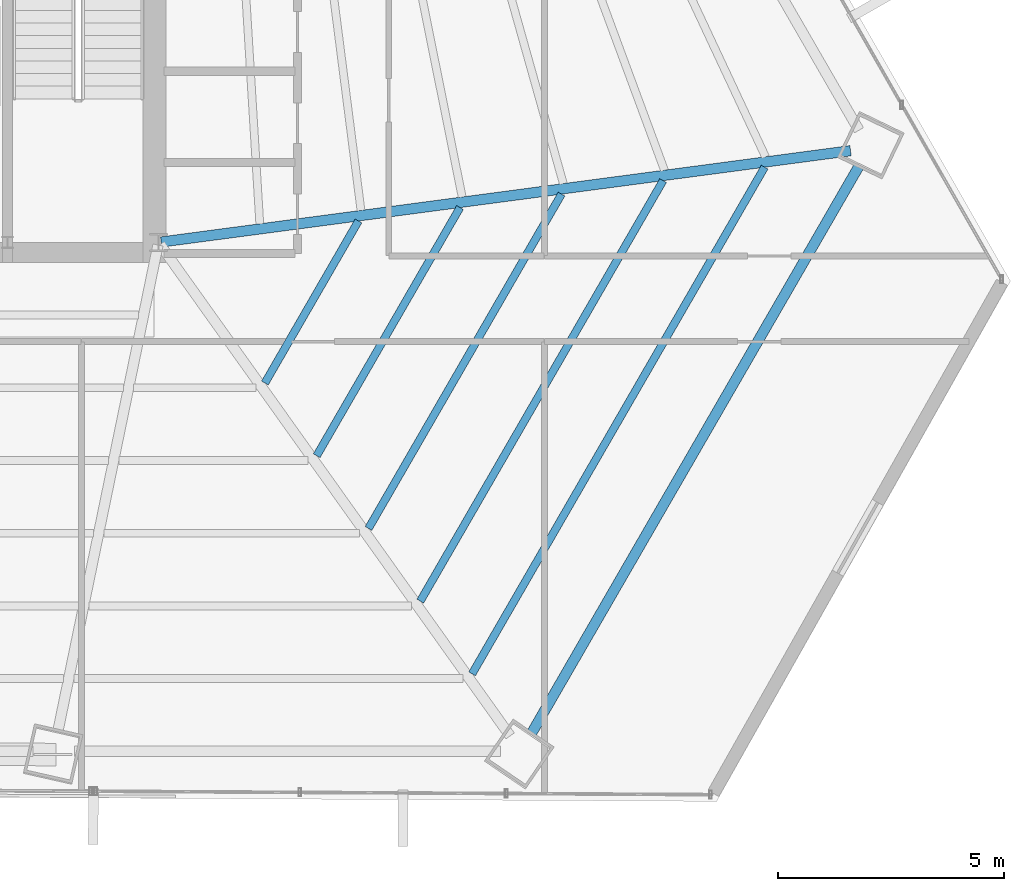
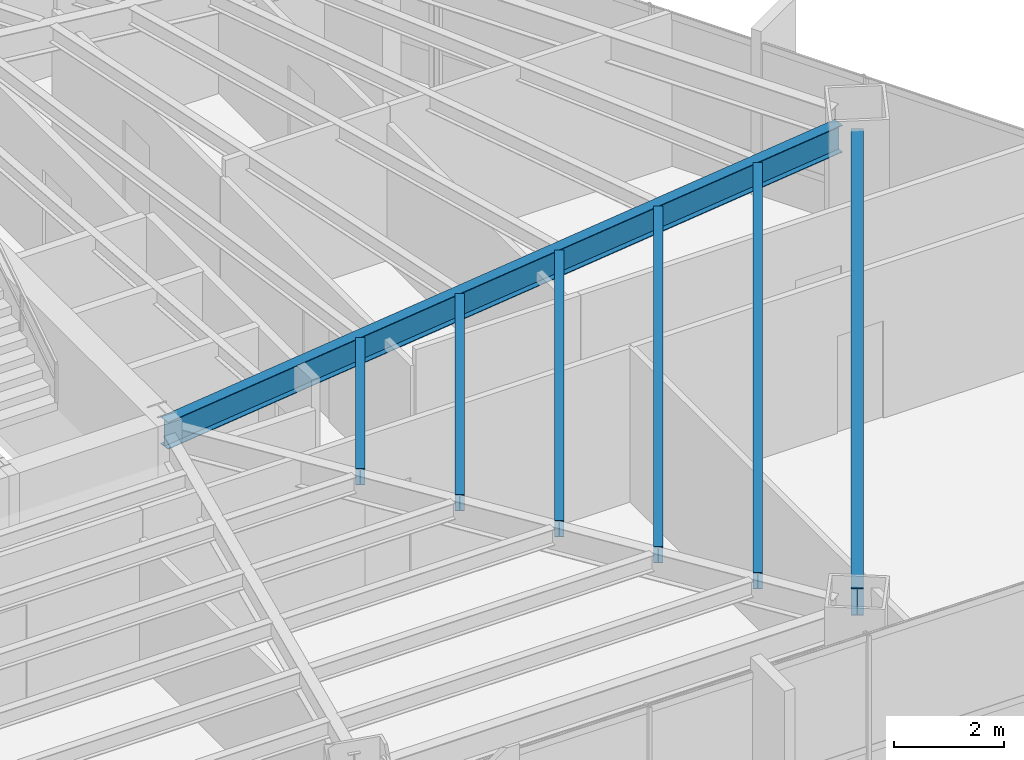
# One storey, part 18 of 35: 7 beams.
"""IFC4 building model written with IfcOpenShell, lengths in metres."""

from ifc_helpers import new_model, si_unit, direction, frame, origin, origin_2d, place, context, subcontext, project, spatial, i_section, extrude, source, transform, mapped, material, material_profile, profile_set, type_object, type_shapes, element, save


model = new_model("IFC4")

# Units and contexts
model_context = context("Model", 3, precision=1e-05, world=origin(), true_north=direction((0.0, 1.0)))
body_context = subcontext(model_context, "Body", "Model", "MODEL_VIEW")
ifc_project = project(units=[si_unit("LENGTHUNIT", "METRE"), si_unit("AREAUNIT", "SQUARE_METRE"), si_unit("VOLUMEUNIT", "CUBIC_METRE"), si_unit("PLANEANGLEUNIT", "RADIAN"), si_unit("MASSUNIT", "GRAM", prefix="KILO")], contexts=[model_context])

# Site, building, storey
site_placement = place(None, origin())
site = spatial("IfcSite", under=ifc_project, at=site_placement, CompositionType="ELEMENT")
building_placement = place(site_placement, origin())
building = spatial("IfcBuilding", under=site, at=building_placement, Name="Caelisora Broadcast Tower", CompositionType="ELEMENT")
storey_placement = place(building_placement, frame((0.0, 0.0, 90.800048828125)))
storey = spatial("IfcBuildingStorey", under=building, at=storey_placement, Name="L23", CompositionType="ELEMENT", Elevation=90.800048828125)

# Beams
ifc_material = material(Name="Steel Grade 350 (AS/NZS 3679.1)", Category="steel")
ifc_material_profile_1 = material_profile(ifc_material, i_section(OverallWidth=0.22900390625, OverallDepth=0.611572265625, WebThickness=0.011962890625, FlangeThickness=0.01953125, at=origin_2d()), Name="Steel Grade 350 (AS/NZS 3679.1)")
ifc_profile_set_1 = profile_set([ifc_material_profile_1], Name="Steel Grade 350 (AS/NZS 3679.1)")
beam_type_1 = type_object("IfcBeamType", Name="PG03", PredefinedType="BEAM", material=ifc_profile_set_1)
shared_shape_1 = source(origin(), body_context, "Body", "SweptSolid", [
    extrude(i_section(OverallWidth=0.22900390625, OverallDepth=0.611572265625, WebThickness=0.011962890625, FlangeThickness=0.01953125, at=origin_2d()), origin(), (0.0, 0.0, 1.0), 14.50927734375),
])
type_shapes(beam_type_1, [shared_shape_1])
beam_1_placement = place(storey_placement, frame((53.7626953125, 6.5224609375, 3.09423828125), z_axis=(0.499999196686, 0.866025867577, 0.0), x_axis=(-0.866025867577, 0.499999196686, 0.0)))
element("IfcBeam", 1, at=beam_1_placement, inside=storey, type_object=beam_type_1, Name="L23 beam PG03", PredefinedType="BEAM", context=body_context, shape_type="MappedRepresentation", body=[
    mapped(shared_shape_1, transform((0.0, 0.0, 0.0), scale=1.0)),
])
ifc_material_profile_2 = material_profile(ifc_material, i_section(OverallWidth=0.22802734375, OverallDepth=0.602294921875, WebThickness=0.010498046875, FlangeThickness=0.014892578125, at=origin_2d()), Name="Steel Grade 350 (AS/NZS 3679.1)")
ifc_profile_set_2 = profile_set([ifc_material_profile_2], Name="Steel Grade 350 (AS/NZS 3679.1)")
beam_type_2 = type_object("IfcBeamType", Name="PG04", PredefinedType="BEAM", material=ifc_profile_set_2)
shared_shape_2 = source(origin(), body_context, "Body", "SweptSolid", [
    extrude(i_section(OverallWidth=0.22802734375, OverallDepth=0.602294921875, WebThickness=0.010498046875, FlangeThickness=0.014892578125, at=origin_2d()), origin(), (0.0, 0.0, 1.0), 15.404541015625),
])
type_shapes(beam_type_2, [shared_shape_2])
beam_2_placement = place(storey_placement, frame((45.5595703125, 17.407958984375, 3.098876953125), z_axis=(0.991339935161, 0.131320725532, 0.0), x_axis=(-0.131320725532, 0.991339935161, 0.0)))
element("IfcBeam", 2, at=beam_2_placement, inside=storey, type_object=beam_type_2, Name="L23 beam PG04", PredefinedType="BEAM", context=body_context, shape_type="MappedRepresentation", body=[
    mapped(shared_shape_2, transform((0.0, 0.0, 0.0), scale=1.0)),
])
ifc_material_profile_3 = material_profile(ifc_material, i_section(OverallWidth=0.172119140625, OverallDepth=0.358642578125, WebThickness=0.008056640625, FlangeThickness=0.012939453125, at=origin_2d()), Name="Steel Grade 350 (AS/NZS 3679.1)")
ifc_profile_set_3 = profile_set([ifc_material_profile_3], Name="Steel Grade 350 (AS/NZS 3679.1)")
beam_type_3 = type_object("IfcBeamType", Name="SB02", PredefinedType="JOIST", material=ifc_profile_set_3)
shared_shape_3 = source(origin(), body_context, "Body", "SweptSolid", [
    extrude(i_section(OverallWidth=0.172119140625, OverallDepth=0.358642578125, WebThickness=0.008056640625, FlangeThickness=0.012939453125, at=origin_2d()), origin(), (0.0, 0.0, 1.0), 4.145263671875),
])
beam_3_placement = place(storey_placement, frame((47.856201171875, 14.2841796875, 3.220703125), z_axis=(0.499984170012, 0.866034543039, 0.0), x_axis=(-0.866034543039, 0.499984170012, 0.0)))
element("IfcBeam", 3, at=beam_3_placement, inside=storey, type_object=beam_type_3, Name="L23 beam SB02", PredefinedType="JOIST", context=body_context, shape_type="MappedRepresentation", body=[
    mapped(shared_shape_3, transform((0.0, 0.0, 0.0), scale=1.0)),
])
shared_shape_4 = source(origin(), body_context, "Body", "SweptSolid", [
    extrude(i_section(OverallWidth=0.172119140625, OverallDepth=0.358642578125, WebThickness=0.008056640625, FlangeThickness=0.012939453125, at=origin_2d()), origin(), (0.0, 0.0, 1.0), 6.349365234375),
])
beam_4_placement = place(storey_placement, frame((49.003662109375, 12.67333984375, 3.220703125), z_axis=(0.500009801578, 0.866019744767, 0.0), x_axis=(-0.866019744767, 0.500009801578, 0.0)))
element("IfcBeam", 4, at=beam_4_placement, inside=storey, type_object=beam_type_3, Name="L23 beam SB02", PredefinedType="JOIST", context=body_context, shape_type="MappedRepresentation", body=[
    mapped(shared_shape_4, transform((0.0, 0.0, 0.0), scale=1.0)),
])
shared_shape_5 = source(origin(), body_context, "Body", "SweptSolid", [
    extrude(i_section(OverallWidth=0.172119140625, OverallDepth=0.358642578125, WebThickness=0.008056640625, FlangeThickness=0.012939453125, at=origin_2d()), origin(), (0.0, 0.0, 1.0), 8.553466796875),
])
beam_5_placement = place(storey_placement, frame((50.1513671875, 11.0625, 3.220703125), z_axis=(0.499979409258, 0.866037291529, 0.0), x_axis=(-0.866037291529, 0.499979409258, 0.0)))
element("IfcBeam", 5, at=beam_5_placement, inside=storey, type_object=beam_type_3, Name="L23 beam SB02", PredefinedType="JOIST", context=body_context, shape_type="MappedRepresentation", body=[
    mapped(shared_shape_5, transform((0.0, 0.0, 0.0), scale=1.0)),
])
shared_shape_6 = source(origin(), body_context, "Body", "SweptSolid", [
    extrude(i_section(OverallWidth=0.172119140625, OverallDepth=0.358642578125, WebThickness=0.008056640625, FlangeThickness=0.012939453125, at=origin_2d()), origin(), (0.0, 0.0, 1.0), 10.7578125),
])
beam_6_placement = place(storey_placement, frame((51.298828125, 9.45166015625, 3.220703125), z_axis=(0.499995512994, 0.866027994343, 0.0), x_axis=(-0.866027994343, 0.499995512994, 0.0)))
element("IfcBeam", 6, at=beam_6_placement, inside=storey, type_object=beam_type_3, Name="L23 beam SB02", PredefinedType="JOIST", context=body_context, shape_type="MappedRepresentation", body=[
    mapped(shared_shape_6, transform((0.0, 0.0, 0.0), scale=1.0)),
])
shared_shape_7 = source(origin(), body_context, "Body", "SweptSolid", [
    extrude(i_section(OverallWidth=0.172119140625, OverallDepth=0.358642578125, WebThickness=0.008056640625, FlangeThickness=0.012939453125, at=origin_2d()), origin(), (0.0, 0.0, 1.0), 12.9619140625),
])
type_shapes(beam_type_3, [shared_shape_3, shared_shape_4, shared_shape_5, shared_shape_6, shared_shape_7])
beam_7_placement = place(storey_placement, frame((52.4462890625, 7.8408203125, 3.220703125), z_axis=(0.500000169135, 0.866025306134, 0.0), x_axis=(-0.866025306134, 0.500000169135, 0.0)))
element("IfcBeam", 7, at=beam_7_placement, inside=storey, type_object=beam_type_3, Name="L23 beam SB02", PredefinedType="JOIST", context=body_context, shape_type="MappedRepresentation", body=[
    mapped(shared_shape_7, transform((0.0, 0.0, 0.0), scale=1.0)),
])

save(model, "model.ifc")
